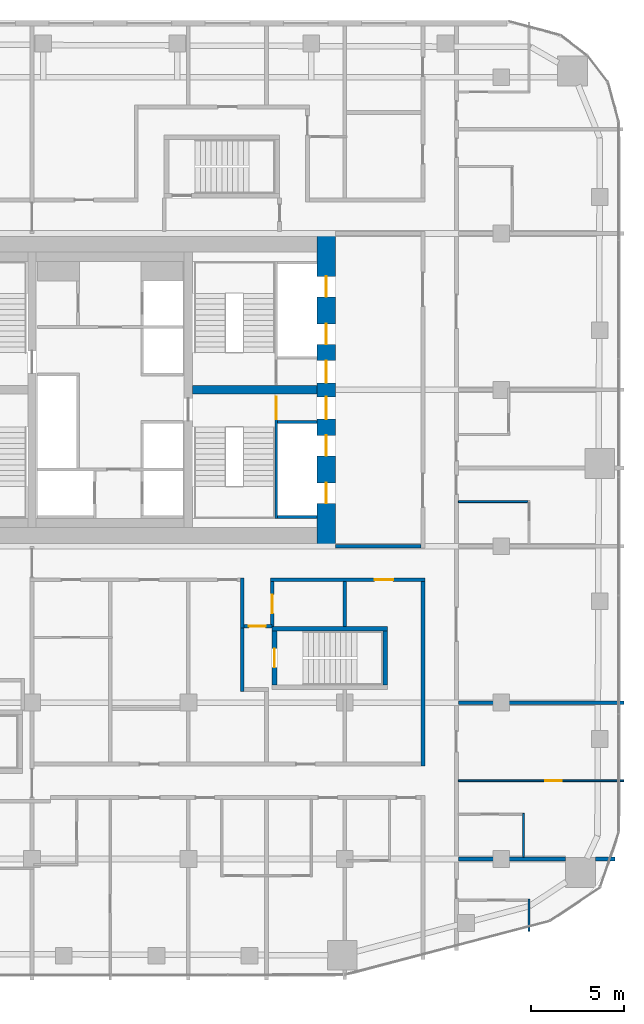
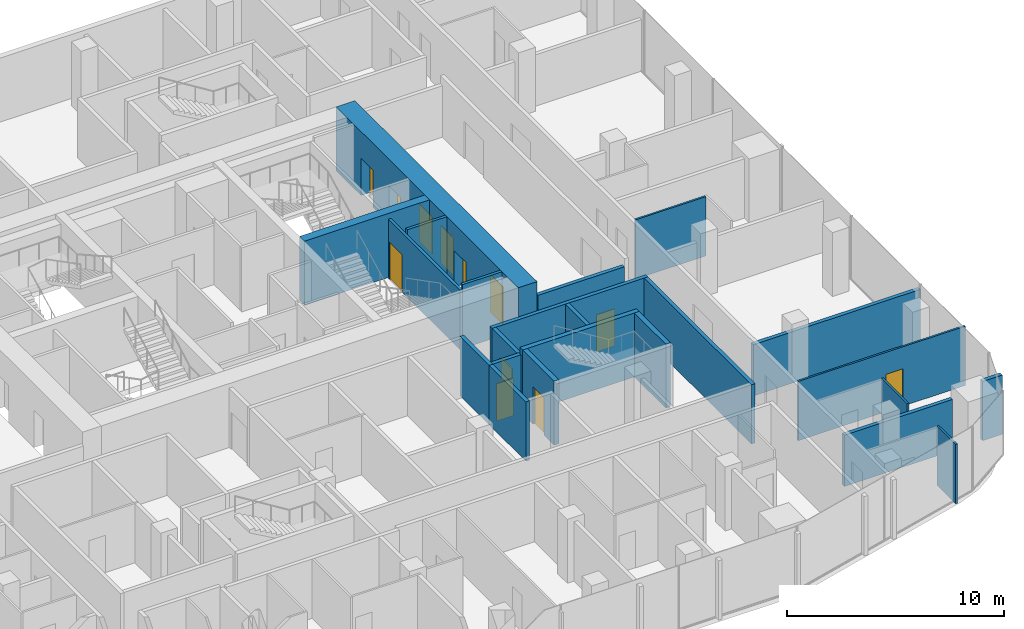
# One storey, part 17 of 23: 23 walls, 12 doors, 12 openings.
"""IFC4 building model written with IfcOpenShell, lengths in metres."""

from ifc_helpers import new_model, si_unit, direction, frame, frame_2d, origin, place, context, subcontext, project, spatial, rectangle, extrude, material, layer, layer_set, type_object, element, fill, save


model = new_model("IFC4")

# Units and contexts
model_context = context("Model", 3, precision=1e-05, world=origin(), true_north=direction((0.0, 1.0)))
body_context = subcontext(model_context, "Body", "Model", "MODEL_VIEW")
ifc_project = project(units=[si_unit("LENGTHUNIT", "METRE"), si_unit("AREAUNIT", "SQUARE_METRE"), si_unit("VOLUMEUNIT", "CUBIC_METRE"), si_unit("PLANEANGLEUNIT", "RADIAN"), si_unit("MASSUNIT", "GRAM", prefix="KILO")], contexts=[model_context])

# Site, building, storey
site_placement = place(None, origin())
site = spatial("IfcSite", under=ifc_project, at=site_placement, CompositionType="ELEMENT")
building_placement = place(site_placement, origin())
building = spatial("IfcBuilding", under=site, at=building_placement, Name="Marenta Gate Hotel Tower", CompositionType="ELEMENT")
storey_placement = place(building_placement, frame((0.0, 0.0, 148.10009765625)))
storey = spatial("IfcBuildingStorey", under=building, at=storey_placement, Name="L34", CompositionType="ELEMENT", Elevation=148.10009765625)

# Walls
ifc_material_1 = material(Name="Concrete blockwork", Category="masonry")
ifc_layer_1 = layer(ifc_material_1, 0.199951171875)
ifc_layer_set_1 = layer_set([ifc_layer_1], Name="Concrete blockwork")
wall_type_1 = type_object("IfcWallType", Name="Core boundary wall 200 REI 180", PredefinedType="PARTITIONING", material=ifc_layer_set_1)
wall_1_placement = place(storey_placement, frame((12.10009765625, 0.0, 0.0), z_axis=(0.0, 0.0, 1.0), x_axis=(1.0, 0.0, 0.0)))
element("IfcWall", 1, at=wall_1_placement, inside=storey, type_object=wall_type_1, Name="L34-CP-EW-ES", PredefinedType="PARTITIONING", context=body_context, shape_type="SweptSolid", body=[
    extrude(rectangle(XDim=4.599853515625, YDim=0.199951171875, at=frame_2d((2.2998046875, 0.0))), origin(), (0.0, 0.0, 1.0), 2.889892578125),
])
ifc_material_2 = material(Name="Concrete C40", Category="concrete")
ifc_layer_2 = layer(ifc_material_2, 0.14990234375)
ifc_layer_set_2 = layer_set([ifc_layer_2], Name="Concrete C40")
wall_type_2 = type_object("IfcWallType", Name="Core shaft wall 150 REI 180", PredefinedType="SHEAR", material=ifc_layer_set_2)
for number, where, z_axis, x_axis, name in (
    (2, (9.0, 6.675048828125, 0.0), (0.0, 0.0, 1.0), (1.0, 0.0, 0.0), "L34-SHF-SW-ES-2"),
    (3, (9.0, 1.574951171875, 0.0), (0.0, 0.0, 1.0), (1.0, 0.0, 0.0), "L34-SHF-SW-ES-5"),
):
    element("IfcWall", number, at=place(storey_placement, frame(where, z_axis=z_axis, x_axis=x_axis)), inside=storey, type_object=wall_type_2, Name=name, PredefinedType="SHEAR", context=body_context, shape_type="SweptSolid", body=[
        extrude(rectangle(XDim=2.10009765625, YDim=0.14990234375, at=frame_2d((1.050048828125, 0.0))), origin(), (0.0, 0.0, 1.0), 3.599853515625),
    ])

# Wall, opening, door
ifc_material_3 = material(Name="Concrete C40", Category="concrete")
ifc_layer_3 = layer(ifc_material_3, 0.14990234375)
ifc_layer_set_3 = layer_set([ifc_layer_3], Name="Concrete C40")
wall_type_3 = type_object("IfcWallType", Name="Core stair enclosure wall 150 REI 180", PredefinedType="SHEAR", material=ifc_layer_set_3)
wall_2_placement = place(storey_placement, frame((8.925048828125, 1.5, 0.0), z_axis=(0.0, 0.0, 1.0), x_axis=(0.0, 1.0, 0.0)))
wall_2 = element("IfcWall", 4, at=wall_2_placement, inside=storey, type_object=wall_type_3, Name="L34-SHF-SW-ES-3", PredefinedType="SHEAR", context=body_context, shape_type="SweptSolid", body=[
    extrude(rectangle(XDim=6.60009765625, YDim=0.14990234375, at=frame_2d((3.300048828125, 0.0))), origin(), (0.0, 0.0, 1.0), 3.33984375),
])
opening_1_placement = place(wall_2_placement, frame((5.324951171875, 0.0, 0.0)))
opening_1 = element("IfcOpeningElement", 5, at=opening_1_placement, cuts=wall_2, Name="Opening SD-ES", PredefinedType="OPENING", context=body_context, shape_type="SweptSolid", body=[
    extrude(rectangle(XDim=1.199951171875, YDim=2.10009765625, at=frame_2d((0.60009765625, 1.050048828125))), frame((0.0, 0.074951171875, 0.0), z_axis=(0.0, -1.0, 0.0), x_axis=(1.0, 0.0, 0.0)), (0.0, 0.0, 1.0), 0.14990234375),
])
ifc_material_4 = material(Name="Steel", Category="steel")
door_type_1 = type_object("IfcDoorType", Name="Core stair door 1200x2100 FD60", OperationType="SINGLE_SWING_LEFT", PredefinedType="DOOR", material=ifc_material_4)
door_1_placement = place(opening_1_placement, origin())
door_1 = element("IfcDoor", 6, at=door_1_placement, inside=storey, type_object=door_type_1, Name="SD-ES", OperationType="SINGLE_SWING_LEFT", OverallHeight=2.10009765625, OverallWidth=1.199951171875, PredefinedType="DOOR", context=body_context, shape_type="SweptSolid", body=[
    extrude(rectangle(XDim=1.199951171875, YDim=2.10009765625, at=frame_2d((0.60009765625, 1.050048828125))), frame((0.0, 0.02490234375, 0.0), z_axis=(0.0, -1.0, 0.0), x_axis=(1.0, 0.0, 0.0)), (0.0, 0.0, 1.0), 0.050048828125),
])
fill(opening_1, door_1)

# Wall, openings, doors
ifc_material_5 = material(Name="Concrete C70", Category="concrete")
ifc_layer_4 = layer(ifc_material_5, 1.0)
ifc_layer_set_4 = layer_set([ifc_layer_4], Name="Concrete C70")
wall_type_4 = type_object("IfcWallType", Name="Core wall 1000 C70", PredefinedType="SHEAR", material=ifc_layer_set_4)
wall_3_placement = place(storey_placement, frame((11.60009765625, 0.0, 0.0), z_axis=(0.0, 0.0, 1.0), x_axis=(0.0, 1.0, 0.0)))
wall_3 = element("IfcWall", 7, at=wall_3_placement, inside=storey, type_object=wall_type_4, Name="L34-CORE-E", PredefinedType="SHEAR", context=body_context, shape_type="SweptSolid", body=[
    extrude(rectangle(XDim=16.800048828125, YDim=1.0, at=frame_2d((8.39990234375, 0.0))), origin(), (0.0, 0.0, 1.0), 3.599853515625),
])
opening_2_placement = place(wall_3_placement, frame((2.300048828125, 0.0, 0.0)))
opening_2 = element("IfcOpeningElement", 8, at=opening_2_placement, cuts=wall_3, Name="Opening LD-HR1", PredefinedType="OPENING", context=body_context, shape_type="SweptSolid", body=[
    extrude(rectangle(XDim=1.10009765625, YDim=2.10009765625, at=frame_2d((0.550048828125, 1.050048828125))), frame((0.0, 0.5, 0.0), z_axis=(0.0, -1.0, 0.0), x_axis=(1.0, 0.0, 0.0)), (0.0, 0.0, 1.0), 1.0),
])
opening_3_placement = place(wall_3_placement, frame((4.85009765625, 0.0, 0.0)))
opening_3 = element("IfcOpeningElement", 9, at=opening_3_placement, cuts=wall_3, Name="Opening LD-HR2", PredefinedType="OPENING", context=body_context, shape_type="SweptSolid", body=[
    extrude(rectangle(XDim=1.10009765625, YDim=2.10009765625, at=frame_2d((0.550048828125, 1.050048828125))), frame((0.0, 0.5, 0.0), z_axis=(0.0, -1.0, 0.0), x_axis=(1.0, 0.0, 0.0)), (0.0, 0.0, 1.0), 1.0),
])
opening_4_placement = place(wall_3_placement, frame((6.824951171875, 0.0, 0.0)))
opening_4 = element("IfcOpeningElement", 10, at=opening_4_placement, cuts=wall_3, Name="Opening PD-ES", PredefinedType="OPENING", context=body_context, shape_type="SweptSolid", body=[
    extrude(rectangle(XDim=1.199951171875, YDim=2.10009765625, at=frame_2d((0.60009765625, 1.050048828125))), frame((0.0, 0.5, 0.0), z_axis=(0.0, -1.0, 0.0), x_axis=(1.0, 0.0, 0.0)), (0.0, 0.0, 1.0), 1.0),
])
opening_5_placement = place(wall_3_placement, frame((13.39990234375, 0.0, 0.0)))
opening_5 = element("IfcOpeningElement", 11, at=opening_5_placement, cuts=wall_3, Name="Opening LD-HR4", PredefinedType="OPENING", context=body_context, shape_type="SweptSolid", body=[
    extrude(rectangle(XDim=1.10009765625, YDim=2.10009765625, at=frame_2d((0.550048828125, 1.050048828125))), frame((0.0, 0.5, 0.0), z_axis=(0.0, -1.0, 0.0), x_axis=(1.0, 0.0, 0.0)), (0.0, 0.0, 1.0), 1.0),
])
opening_6_placement = place(wall_3_placement, frame((10.85009765625, 0.0, 0.0)))
opening_6 = element("IfcOpeningElement", 12, at=opening_6_placement, cuts=wall_3, Name="Opening LD-HR3", PredefinedType="OPENING", context=body_context, shape_type="SweptSolid", body=[
    extrude(rectangle(XDim=1.10009765625, YDim=2.10009765625, at=frame_2d((0.550048828125, 1.050048828125))), frame((0.0, 0.5, 0.0), z_axis=(0.0, -1.0, 0.0), x_axis=(1.0, 0.0, 0.0)), (0.0, 0.0, 1.0), 1.0),
])
opening_7_placement = place(wall_3_placement, frame((8.77490234375, 0.0, 0.0)))
opening_7 = element("IfcOpeningElement", 13, at=opening_7_placement, cuts=wall_3, Name="Opening PD-EN", PredefinedType="OPENING", context=body_context, shape_type="SweptSolid", body=[
    extrude(rectangle(XDim=1.199951171875, YDim=2.10009765625, at=frame_2d((0.60009765625, 1.050048828125))), frame((0.0, 0.5, 0.0), z_axis=(0.0, -1.0, 0.0), x_axis=(1.0, 0.0, 0.0)), (0.0, 0.0, 1.0), 1.0),
])
ifc_material_6 = material(Name="Steel", Category="steel")
door_type_2 = type_object("IfcDoorType", Name="Core lift landing door 1100x2100 E 60", OperationType="SLIDING_TO_LEFT", PredefinedType="DOOR", material=ifc_material_6)
door_2_placement = place(opening_2_placement, origin())
door_2 = element("IfcDoor", 14, at=door_2_placement, inside=storey, type_object=door_type_2, Name="LD-HR1", OperationType="SLIDING_TO_LEFT", OverallHeight=2.10009765625, OverallWidth=1.10009765625, PredefinedType="DOOR", context=body_context, shape_type="SweptSolid", body=[
    extrude(rectangle(XDim=1.10009765625, YDim=2.10009765625, at=frame_2d((0.550048828125, 1.050048828125))), frame((0.0, 0.02490234375, 0.0), z_axis=(0.0, -1.0, 0.0), x_axis=(1.0, 0.0, 0.0)), (0.0, 0.0, 1.0), 0.050048828125),
])
fill(opening_2, door_2)
door_3_placement = place(opening_3_placement, origin())
door_3 = element("IfcDoor", 15, at=door_3_placement, inside=storey, type_object=door_type_2, Name="LD-HR2", OperationType="SLIDING_TO_LEFT", OverallHeight=2.10009765625, OverallWidth=1.10009765625, PredefinedType="DOOR", context=body_context, shape_type="SweptSolid", body=[
    extrude(rectangle(XDim=1.10009765625, YDim=2.10009765625, at=frame_2d((0.550048828125, 1.050048828125))), frame((0.0, 0.02490234375, 0.0), z_axis=(0.0, -1.0, 0.0), x_axis=(1.0, 0.0, 0.0)), (0.0, 0.0, 1.0), 0.050048828125),
])
fill(opening_3, door_3)
door_4_placement = place(opening_5_placement, origin())
door_4 = element("IfcDoor", 16, at=door_4_placement, inside=storey, type_object=door_type_2, Name="LD-HR4", OperationType="SLIDING_TO_LEFT", OverallHeight=2.10009765625, OverallWidth=1.10009765625, PredefinedType="DOOR", context=body_context, shape_type="SweptSolid", body=[
    extrude(rectangle(XDim=1.10009765625, YDim=2.10009765625, at=frame_2d((0.550048828125, 1.050048828125))), frame((0.0, 0.02490234375, 0.0), z_axis=(0.0, -1.0, 0.0), x_axis=(1.0, 0.0, 0.0)), (0.0, 0.0, 1.0), 0.050048828125),
])
fill(opening_5, door_4)
door_5_placement = place(opening_6_placement, origin())
door_5 = element("IfcDoor", 17, at=door_5_placement, inside=storey, type_object=door_type_2, Name="LD-HR3", OperationType="SLIDING_TO_LEFT", OverallHeight=2.10009765625, OverallWidth=1.10009765625, PredefinedType="DOOR", context=body_context, shape_type="SweptSolid", body=[
    extrude(rectangle(XDim=1.10009765625, YDim=2.10009765625, at=frame_2d((0.550048828125, 1.050048828125))), frame((0.0, 0.02490234375, 0.0), z_axis=(0.0, -1.0, 0.0), x_axis=(1.0, 0.0, 0.0)), (0.0, 0.0, 1.0), 0.050048828125),
])
fill(opening_6, door_5)
ifc_material_7 = material(Name="Steel", Category="steel")
door_type_3 = type_object("IfcDoorType", Name="Core lobby door 1200x2100 FD60", OperationType="SINGLE_SWING_LEFT", PredefinedType="DOOR", material=ifc_material_7)
door_6_placement = place(opening_4_placement, origin())
door_6 = element("IfcDoor", 18, at=door_6_placement, inside=storey, type_object=door_type_3, Name="PD-ES", OperationType="SINGLE_SWING_LEFT", OverallHeight=2.10009765625, OverallWidth=1.199951171875, PredefinedType="DOOR", context=body_context, shape_type="SweptSolid", body=[
    extrude(rectangle(XDim=1.199951171875, YDim=2.10009765625, at=frame_2d((0.60009765625, 1.050048828125))), frame((0.0, 0.02490234375, 0.0), z_axis=(0.0, -1.0, 0.0), x_axis=(1.0, 0.0, 0.0)), (0.0, 0.0, 1.0), 0.050048828125),
])
fill(opening_4, door_6)
door_7_placement = place(opening_7_placement, origin())
door_7 = element("IfcDoor", 19, at=door_7_placement, inside=storey, type_object=door_type_3, Name="PD-EN", OperationType="SINGLE_SWING_LEFT", OverallHeight=2.10009765625, OverallWidth=1.199951171875, PredefinedType="DOOR", context=body_context, shape_type="SweptSolid", body=[
    extrude(rectangle(XDim=1.199951171875, YDim=2.10009765625, at=frame_2d((0.60009765625, 1.050048828125))), frame((0.0, 0.02490234375, 0.0), z_axis=(0.0, -1.0, 0.0), x_axis=(1.0, 0.0, 0.0)), (0.0, 0.0, 1.0), 0.050048828125),
])
fill(opening_7, door_7)

# Walls
ifc_material_8 = material(Name="Concrete C70", Category="concrete")
ifc_layer_5 = layer(ifc_material_8, 0.449951171875)
ifc_layer_set_5 = layer_set([ifc_layer_5], Name="Concrete C70")
wall_type_5 = type_object("IfcWallType", Name="Core web 450 C70", PredefinedType="SHEAR", material=ifc_layer_set_5)
wall_4_placement = place(storey_placement, frame((4.425048828125, 8.39990234375, 0.0), z_axis=(0.0, 0.0, 1.0), x_axis=(1.0, 0.0, 0.0)))
element("IfcWall", 20, at=wall_4_placement, inside=storey, type_object=wall_type_5, Name="L34-CORE-W4", PredefinedType="SHEAR", context=body_context, shape_type="SweptSolid", body=[
    extrude(rectangle(XDim=6.675048828125, YDim=0.449951171875, at=frame_2d((3.33740234375, 0.0))), origin(), (0.0, 0.0, 1.0), 3.599853515625),
])
ifc_material_9 = material(Name="Concrete C40", Category="concrete")
ifc_layer_6 = layer(ifc_material_9, 0.25)
ifc_layer_set_6 = layer_set([ifc_layer_6], Name="Concrete C40")
wall_type_6 = type_object("IfcWallType", Name="Remote stair enclosure wall 250 REI 180", PredefinedType="SHEAR", material=ifc_layer_set_6)
wall_5_placement = place(storey_placement, frame((8.699951171875, -4.425048828125, 0.099853515625), z_axis=(0.0, 0.0, 1.0), x_axis=(1.0, 0.0, 0.0)))
element("IfcWall", 21, at=wall_5_placement, inside=storey, type_object=wall_type_6, Name="L34-RS-Z2-2-W2", PredefinedType="SHEAR", context=body_context, shape_type="SweptSolid", body=[
    extrude(rectangle(XDim=6.199951171875, YDim=0.25, at=frame_2d((3.10009765625, 0.0))), origin(), (0.0, 0.0, 1.0), 3.60009765625),
])

# Wall, opening, door
wall_6_placement = place(storey_placement, frame((8.824951171875, -7.449951171875, 0.099853515625), z_axis=(0.0, 0.0, 1.0), x_axis=(0.0, 1.0, 0.0)))
wall_6 = element("IfcWall", 22, at=wall_6_placement, inside=storey, type_object=wall_type_6, Name="L34-RS-Z2-2-W3", PredefinedType="SHEAR", context=body_context, shape_type="SweptSolid", body=[
    extrude(rectangle(XDim=2.89990234375, YDim=0.25, at=frame_2d((1.449951171875, 0.0))), origin(), (0.0, 0.0, 1.0), 3.60009765625),
])
opening_8_placement = place(wall_6_placement, frame((0.949951171875, 0.0, 0.0)))
opening_8 = element("IfcOpeningElement", 23, at=opening_8_placement, cuts=wall_6, Name="Opening VD", PredefinedType="OPENING", context=body_context, shape_type="SweptSolid", body=[
    extrude(rectangle(XDim=1.0, YDim=2.10009765625, at=frame_2d((0.5, 1.050048828125))), frame((0.0, 0.125, 0.0), z_axis=(0.0, -1.0, 0.0), x_axis=(1.0, 0.0, 0.0)), (0.0, 0.0, 1.0), 0.25),
])
ifc_material_10 = material(Name="Steel", Category="steel")
door_type_4 = type_object("IfcDoorType", Name="Stair vestibule door 1000x2100 FD60", OperationType="SINGLE_SWING_LEFT", PredefinedType="DOOR", material=ifc_material_10)
door_8_placement = place(opening_8_placement, origin())
door_8 = element("IfcDoor", 24, at=door_8_placement, inside=storey, type_object=door_type_4, Name="VD", OperationType="SINGLE_SWING_LEFT", OverallHeight=2.10009765625, OverallWidth=1.0, PredefinedType="DOOR", context=body_context, shape_type="SweptSolid", body=[
    extrude(rectangle(XDim=1.0, YDim=2.10009765625, at=frame_2d((0.5, 1.050048828125))), frame((0.0, 0.02490234375, 0.0), z_axis=(0.0, -1.0, 0.0), x_axis=(1.0, 0.0, 0.0)), (0.0, 0.0, 1.0), 0.050048828125),
])
fill(opening_8, door_8)

# Walls
wall_7_placement = place(storey_placement, frame((14.77490234375, -7.449951171875, 0.099853515625), z_axis=(0.0, 0.0, 1.0), x_axis=(0.0, 1.0, 0.0)))
element("IfcWall", 25, at=wall_7_placement, inside=storey, type_object=wall_type_6, Name="L34-RS-Z2-2-W4", PredefinedType="SHEAR", context=body_context, shape_type="SweptSolid", body=[
    extrude(rectangle(XDim=2.89990234375, YDim=0.25, at=frame_2d((1.449951171875, 0.0))), origin(), (0.0, 0.0, 1.0), 3.60009765625),
])
ifc_material_11 = material(Name="Gypsum board on steel stud", Category="steel")
ifc_layer_7 = layer(ifc_material_11, 0.199951171875)
ifc_layer_set_7 = layer_set([ifc_layer_7], Name="Gypsum board on steel stud")
wall_type_7 = type_object("IfcWallType", Name="Room corridor wall 200 EI 60", PredefinedType="PARTITIONING", material=ifc_layer_set_7)
wall_8_placement = place(storey_placement, frame((16.800048828125, -11.800048828125, 0.0), z_axis=(0.0, 0.0, 1.0), x_axis=(0.0, 1.0, 0.0)))
element("IfcWall", 26, at=wall_8_placement, inside=storey, type_object=wall_type_7, Name="L34-PTN-W016", PredefinedType="PARTITIONING", context=body_context, shape_type="SweptSolid", body=[
    extrude(rectangle(XDim=9.900146484375, YDim=0.199951171875, at=frame_2d((4.9501953125, 0.0))), origin(), (0.0, 0.0, 1.0), 3.33984375),
])

# Wall, opening, door
wall_9_placement = place(storey_placement, frame((8.699951171875, -4.300048828125, 0.0), z_axis=(0.0, 0.0, 1.0), x_axis=(0.0, 1.0, 0.0)))
wall_9 = element("IfcWall", 27, at=wall_9_placement, inside=storey, type_object=wall_type_7, Name="L34-PTN-W040", PredefinedType="PARTITIONING", context=body_context, shape_type="SweptSolid", body=[
    extrude(rectangle(XDim=2.400146484375, YDim=0.199951171875, at=frame_2d((1.2001953125, 0.0))), origin(), (0.0, 0.0, 1.0), 3.33984375),
])
opening_9_placement = place(wall_9_placement, frame((0.699951171875, 0.0, 0.0)))
opening_9 = element("IfcOpeningElement", 28, at=opening_9_placement, cuts=wall_9, Name="Opening G13-64", PredefinedType="OPENING", context=body_context, shape_type="SweptSolid", body=[
    extrude(rectangle(XDim=1.0, YDim=2.10009765625, at=frame_2d((0.5, 1.050048828125))), frame((0.0, 0.10009765625, 0.0), z_axis=(0.0, -1.0, 0.0), x_axis=(1.0, 0.0, 0.0)), (0.0, 0.0, 1.0), 0.199951171875),
])
ifc_material_12 = material(Name="Timber door leaf", Category="wood")
door_type_5 = type_object("IfcDoorType", Name="Room amenity door 1000x2100 EI 30", OperationType="NOTDEFINED", PredefinedType="DOOR", material=ifc_material_12)
door_9_placement = place(opening_9_placement, origin())
door_9 = element("IfcDoor", 29, at=door_9_placement, inside=storey, type_object=door_type_5, Name="L34-PD-D064", OperationType="SINGLE_SWING_LEFT", OverallHeight=2.10009765625, OverallWidth=1.0, PredefinedType="DOOR", context=body_context, shape_type="SweptSolid", body=[
    extrude(rectangle(XDim=1.0, YDim=2.10009765625, at=frame_2d((0.5, 1.050048828125))), frame((0.0, 0.02490234375, 0.0), z_axis=(0.0, -1.0, 0.0), x_axis=(1.0, 0.0, 0.0)), (0.0, 0.0, 1.0), 0.050048828125),
])
fill(opening_9, door_9)

# Wall
wall_10_placement = place(storey_placement, frame((7.10009765625, -4.39990234375, 0.0), z_axis=(0.0, 0.0, 1.0), x_axis=(0.0, 1.0, 0.0)))
element("IfcWall", 30, at=wall_10_placement, inside=storey, type_object=wall_type_7, Name="L34-PTN-W050", PredefinedType="PARTITIONING", context=body_context, shape_type="SweptSolid", body=[
    extrude(rectangle(XDim=2.699951171875, YDim=0.199951171875, at=frame_2d((1.35009765625, 0.0))), origin(), (0.0, 0.0, 1.0), 3.33984375),
])

# Wall, opening, door
wall_11_placement = place(storey_placement, frame((8.60009765625, -1.800048828125, 0.0), z_axis=(0.0, 0.0, 1.0), x_axis=(1.0, 0.0, 0.0)))
wall_11 = element("IfcWall", 31, at=wall_11_placement, inside=storey, type_object=wall_type_7, Name="L34-PTN-W064", PredefinedType="PARTITIONING", context=body_context, shape_type="SweptSolid", body=[
    extrude(rectangle(XDim=8.2998046875, YDim=0.199951171875, at=frame_2d((4.14990234375, 0.0))), origin(), (0.0, 0.0, 1.0), 3.33984375),
])
opening_10_placement = place(wall_11_placement, frame((5.60009765625, 0.0, 0.0)))
opening_10 = element("IfcOpeningElement", 32, at=opening_10_placement, cuts=wall_11, Name="Opening G13-07", PredefinedType="OPENING", context=body_context, shape_type="SweptSolid", body=[
    extrude(rectangle(XDim=1.0, YDim=2.10009765625, at=frame_2d((0.5, 1.050048828125))), frame((0.0, 0.10009765625, 0.0), z_axis=(0.0, -1.0, 0.0), x_axis=(1.0, 0.0, 0.0)), (0.0, 0.0, 1.0), 0.199951171875),
])
door_10_placement = place(opening_10_placement, origin())
door_10 = element("IfcDoor", 33, at=door_10_placement, inside=storey, type_object=door_type_5, Name="L34-PD-D007", OperationType="SINGLE_SWING_LEFT", OverallHeight=2.10009765625, OverallWidth=1.0, PredefinedType="DOOR", context=body_context, shape_type="SweptSolid", body=[
    extrude(rectangle(XDim=1.0, YDim=2.10009765625, at=frame_2d((0.5, 1.050048828125))), frame((0.0, 0.02490234375, 0.0), z_axis=(0.0, -1.0, 0.0), x_axis=(1.0, 0.0, 0.0)), (0.0, 0.0, 1.0), 0.050048828125),
])
fill(opening_10, door_10)

ifc_material_13 = material(Name="Concrete blockwork", Category="masonry")
ifc_layer_8 = layer(ifc_material_13, 0.199951171875)
ifc_layer_set_8 = layer_set([ifc_layer_8], Name="Concrete blockwork")
wall_type_8 = type_object("IfcWallType", Name="Room corridor wall 200 REI 180", PredefinedType="PARTITIONING", material=ifc_layer_set_8)
wall_12_placement = place(storey_placement, frame((7.199951171875, -4.300048828125, 0.0), z_axis=(0.0, 0.0, 1.0), x_axis=(1.0, 0.0, 0.0)))
wall_12 = element("IfcWall", 34, at=wall_12_placement, inside=storey, type_object=wall_type_8, Name="L34-PTN-W055", PredefinedType="PARTITIONING", context=body_context, shape_type="SweptSolid", body=[
    extrude(rectangle(XDim=1.5, YDim=0.199951171875, at=frame_2d((0.75, 0.0))), origin(), (0.0, 0.0, 1.0), 3.33984375),
])
opening_11_placement = place(wall_12_placement, frame((0.25, 0.0, 0.0)))
opening_11 = element("IfcOpeningElement", 35, at=opening_11_placement, cuts=wall_12, Name="Opening G13-60", PredefinedType="OPENING", context=body_context, shape_type="SweptSolid", body=[
    extrude(rectangle(XDim=0.89990234375, YDim=2.10009765625, at=frame_2d((0.449951171875, 1.050048828125))), frame((0.0, 0.10009765625, 0.0), z_axis=(0.0, -1.0, 0.0), x_axis=(1.0, 0.0, 0.0)), (0.0, 0.0, 1.0), 0.199951171875),
])
ifc_material_14 = material(Name="Hollow steel door set", Category="steel")
door_type_6 = type_object("IfcDoorType", Name="Stair vestibule door 900x2100 EI 60", OperationType="NOTDEFINED", PredefinedType="DOOR", material=ifc_material_14)
door_11_placement = place(opening_11_placement, origin())
door_11 = element("IfcDoor", 36, at=door_11_placement, inside=storey, type_object=door_type_6, Name="L34-PD-D060", OperationType="SINGLE_SWING_RIGHT", OverallHeight=2.10009765625, OverallWidth=0.89990234375, PredefinedType="DOOR", context=body_context, shape_type="SweptSolid", body=[
    extrude(rectangle(XDim=0.89990234375, YDim=2.10009765625, at=frame_2d((0.449951171875, 1.050048828125))), frame((0.0, 0.02490234375, 0.0), z_axis=(0.0, -1.0, 0.0), x_axis=(1.0, 0.0, 0.0)), (0.0, 0.0, 1.0), 0.050048828125),
])
fill(opening_11, door_11)

# Walls
ifc_material_15 = material(Name="Gypsum board on steel stud", Category="steel")
ifc_layer_9 = layer(ifc_material_15, 0.10009765625)
ifc_layer_set_9 = layer_set([ifc_layer_9], Name="Gypsum board on steel stud")
wall_type_9 = type_object("IfcWallType", Name="Room partition 100", PredefinedType="PARTITIONING", material=ifc_layer_set_9)
wall_13_placement = place(storey_placement, frame((22.5, -20.674072265625, 0.0), z_axis=(0.0, 0.0, 1.0), x_axis=(0.0, 1.0, 0.0)))
element("IfcWall", 37, at=wall_13_placement, inside=storey, type_object=wall_type_9, Name="L34-PTN-W001", PredefinedType="PARTITIONING", context=body_context, shape_type="SweptSolid", body=[
    extrude(rectangle(XDim=1.716064453125, YDim=0.10009765625, at=frame_2d((0.85791015625, 0.0))), origin(), (0.0, 0.0, 1.0), 3.33984375),
])
wall_14_placement = place(storey_placement, frame((22.199951171875, -16.699951171875, 0.0), z_axis=(0.0, 0.0, 1.0), x_axis=(0.0, 1.0, 0.0)))
element("IfcWall", 38, at=wall_14_placement, inside=storey, type_object=wall_type_9, Name="L34-PTN-W004", PredefinedType="PARTITIONING", context=body_context, shape_type="SweptSolid", body=[
    extrude(rectangle(XDim=2.349853515625, YDim=0.10009765625, at=frame_2d((1.1748046875, 0.0))), origin(), (0.0, 0.0, 1.0), 3.33984375),
])

# Wall, opening, door
wall_15_placement = place(storey_placement, frame((18.699951171875, -12.60009765625, 0.0), z_axis=(0.0, 0.0, 1.0), x_axis=(1.0, 0.0, 0.0)))
wall_15 = element("IfcWall", 39, at=wall_15_placement, inside=storey, type_object=wall_type_9, Name="L34-PTN-W032", PredefinedType="PARTITIONING", context=body_context, shape_type="SweptSolid", body=[
    extrude(rectangle(XDim=8.900146484375, YDim=0.10009765625, at=frame_2d((4.4501953125, 0.0))), origin(), (0.0, 0.0, 1.0), 3.33984375),
])
opening_12_placement = place(wall_15_placement, frame((4.669921875, 0.0, 0.0)))
opening_12 = element("IfcOpeningElement", 40, at=opening_12_placement, cuts=wall_15, Name="Opening G13-11", PredefinedType="OPENING", context=body_context, shape_type="SweptSolid", body=[
    extrude(rectangle(XDim=0.89990234375, YDim=2.10009765625, at=frame_2d((0.449951171875, 1.050048828125))), frame((0.0, 0.050048828125, 0.0), z_axis=(0.0, -1.0, 0.0), x_axis=(1.0, 0.0, 0.0)), (0.0, 0.0, 1.0), 0.10009765625),
])
ifc_material_16 = material(Name="Timber door leaf", Category="wood")
door_type_7 = type_object("IfcDoorType", Name="Room inner door 900x2100", OperationType="NOTDEFINED", PredefinedType="DOOR", material=ifc_material_16)
door_12_placement = place(opening_12_placement, origin())
door_12 = element("IfcDoor", 41, at=door_12_placement, inside=storey, type_object=door_type_7, Name="L34-PD-D011", OperationType="SINGLE_SWING_RIGHT", OverallHeight=2.10009765625, OverallWidth=0.89990234375, PredefinedType="DOOR", context=body_context, shape_type="SweptSolid", body=[
    extrude(rectangle(XDim=0.89990234375, YDim=2.10009765625, at=frame_2d((0.449951171875, 1.050048828125))), frame((0.0, 0.02490234375, 0.0), z_axis=(0.0, -1.0, 0.0), x_axis=(1.0, 0.0, 0.0)), (0.0, 0.0, 1.0), 0.050048828125),
])
fill(opening_12, door_12)

# Walls
wall_16_placement = place(storey_placement, frame((18.699951171875, 2.39990234375, 0.0), z_axis=(0.0, 0.0, 1.0), x_axis=(1.0, 0.0, 0.0)))
element("IfcWall", 42, at=wall_16_placement, inside=storey, type_object=wall_type_9, Name="L34-PTN-W071", PredefinedType="PARTITIONING", context=body_context, shape_type="SweptSolid", body=[
    extrude(rectangle(XDim=3.75, YDim=0.10009765625, at=frame_2d((1.875, 0.0))), origin(), (0.0, 0.0, 1.0), 3.33984375),
])
ifc_material_17 = material(Name="Gypsum board on steel stud", Category="steel")
ifc_layer_10 = layer(ifc_material_17, 0.199951171875)
ifc_layer_set_10 = layer_set([ifc_layer_10], Name="Gypsum board on steel stud")
wall_type_10 = type_object("IfcWallType", Name="Room party wall 200 EI 60", PredefinedType="PARTITIONING", material=ifc_layer_set_10)
wall_17_placement = place(storey_placement, frame((18.699951171875, -16.800048828125, 0.0), z_axis=(0.0, 0.0, 1.0), x_axis=(1.0, 0.0, 0.0)))
element("IfcWall", 43, at=wall_17_placement, inside=storey, type_object=wall_type_10, Name="L34-PTN-W019", PredefinedType="PARTITIONING", context=body_context, shape_type="SweptSolid", body=[
    extrude(rectangle(XDim=5.762939453125, YDim=0.199951171875, at=frame_2d((2.88134765625, 0.0))), origin(), (0.0, 0.0, 1.0), 2.889892578125),
])
wall_18_placement = place(storey_placement, frame((26.06298828125, -16.800048828125, 0.0), z_axis=(0.0, 0.0, 1.0), x_axis=(1.0, 0.0, 0.0)))
element("IfcWall", 44, at=wall_18_placement, inside=storey, type_object=wall_type_10, Name="L34-PTN-W121", PredefinedType="PARTITIONING", context=body_context, shape_type="SweptSolid", body=[
    extrude(rectangle(XDim=1.049072265625, YDim=0.199951171875, at=frame_2d((0.5244140625, 0.0))), origin(), (0.0, 0.0, 1.0), 3.33984375),
])
wall_19_placement = place(storey_placement, frame((12.60009765625, -4.300048828125, 0.0), z_axis=(0.0, 0.0, 1.0), x_axis=(0.0, 1.0, 0.0)))
element("IfcWall", 45, at=wall_19_placement, inside=storey, type_object=wall_type_10, Name="L34-PTN-W029", PredefinedType="PARTITIONING", context=body_context, shape_type="SweptSolid", body=[
    extrude(rectangle(XDim=2.400146484375, YDim=0.199951171875, at=frame_2d((1.2001953125, 0.0))), origin(), (0.0, 0.0, 1.0), 3.33984375),
])
wall_20_placement = place(storey_placement, frame((18.699951171875, -8.39990234375, 0.0), z_axis=(0.0, 0.0, 1.0), x_axis=(1.0, 0.0, 0.0)))
element("IfcWall", 46, at=wall_20_placement, inside=storey, type_object=wall_type_10, Name="L34-PTN-W045", PredefinedType="PARTITIONING", context=body_context, shape_type="SweptSolid", body=[
    extrude(rectangle(XDim=8.900146484375, YDim=0.199951171875, at=frame_2d((4.4501953125, 0.0))), origin(), (0.0, 0.0, 1.0), 2.889892578125),
])
ifc_material_18 = material(Name="Concrete blockwork", Category="masonry")
ifc_layer_11 = layer(ifc_material_18, 0.199951171875)
ifc_layer_set_11 = layer_set([ifc_layer_11], Name="Concrete blockwork")
wall_type_11 = type_object("IfcWallType", Name="Room party wall 200 REI 180", PredefinedType="PARTITIONING", material=ifc_layer_set_11)
wall_21_placement = place(storey_placement, frame((7.10009765625, -7.800048828125, 0.0), z_axis=(0.0, 0.0, 1.0), x_axis=(0.0, 1.0, 0.0)))
element("IfcWall", 47, at=wall_21_placement, inside=storey, type_object=wall_type_11, Name="L34-PTN-W049", PredefinedType="PARTITIONING", context=body_context, shape_type="SweptSolid", body=[
    extrude(rectangle(XDim=3.400146484375, YDim=0.199951171875, at=frame_2d((1.7001953125, 0.0))), origin(), (0.0, 0.0, 1.0), 3.33984375),
])

save(model, "model.ifc")
